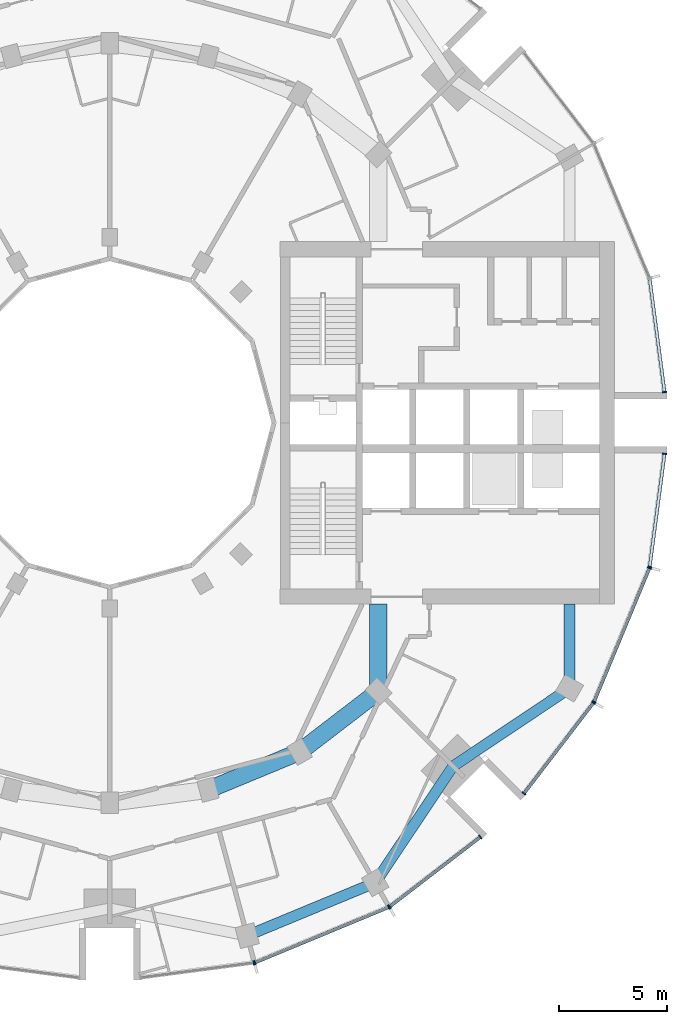
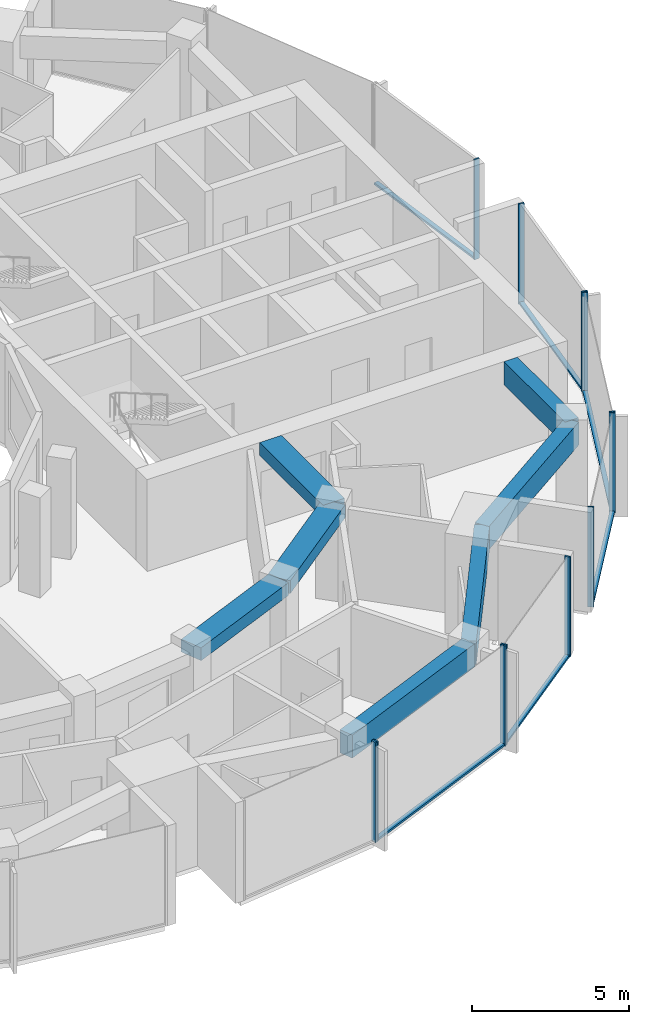
# One storey, part 4 of 15: 18 members, 7 beams, 7 elements without a shape of their own.
"""IFC4 building model written with IfcOpenShell, lengths in metres."""

from ifc_helpers import new_model, si_unit, direction, frame, origin, origin_2d, place, context, subcontext, project, spatial, rectangle, extrude, material, layer, layer_set, material_profile, profile_set, type_object, element, aggregate, save


model = new_model("IFC4")

# Units and contexts
model_context = context("Model", 3, precision=1e-05, world=origin(), true_north=direction((0.0, 1.0)))
body_context = subcontext(model_context, "Body", "Model", "MODEL_VIEW")
ifc_project = project(units=[si_unit("LENGTHUNIT", "METRE"), si_unit("AREAUNIT", "SQUARE_METRE"), si_unit("VOLUMEUNIT", "CUBIC_METRE"), si_unit("PLANEANGLEUNIT", "RADIAN"), si_unit("MASSUNIT", "GRAM", prefix="KILO")], contexts=[model_context])

# Site, building, storey
site_placement = place(None, origin())
site = spatial("IfcSite", under=ifc_project, at=site_placement, CompositionType="ELEMENT")
building_placement = place(site_placement, origin())
building = spatial("IfcBuilding", under=site, at=building_placement, Name="Torre Brocal", CompositionType="ELEMENT")
storey_placement = place(building_placement, frame((0.0, 0.0, 134.10009765625)))
storey = spatial("IfcBuildingStorey", under=building, at=storey_placement, Name="L31", CompositionType="ELEMENT", Elevation=134.10009765625)

# Curtain wall, member
ifc_material_1 = material(Name="Aluminium and glass", Category="aluminium")
ifc_layer_1 = layer(ifc_material_1, 0.199951171875)
ifc_layer_set_1 = layer_set([ifc_layer_1], Name="Aluminium and glass")
curtain_wall_type_1 = type_object("IfcCurtainWallType", Name="CW-1 CURTAIN WALL 3900 HIGH", PredefinedType="NOTDEFINED", material=ifc_layer_set_1)
curtain_wall_1_placement = place(storey_placement, origin())
curtain_wall_1 = element("IfcCurtainWall", 1, at=curtain_wall_1_placement, inside=storey, type_object=curtain_wall_type_1, Name="CW-1 RUN 19", PredefinedType="NOTDEFINED")
ifc_material_2 = material(Name="Aluminium, dark anodised", Category="aluminium")
ifc_material_profile_1 = material_profile(ifc_material_2, rectangle(XDim=0.199951171875, YDim=0.06005859375, at=origin_2d()), Name="CW-1 MULLION 60X200")
ifc_profile_set_1 = profile_set([ifc_material_profile_1], Name="Aluminium, dark anodised")
member_type_1 = type_object("IfcMemberType", Name="CW-1 MULLION 60X200", PredefinedType="MULLION", material=ifc_profile_set_1)
member_1_placement = place(storey_placement, frame((86.67333984375, 49.9794921875, 0.0), z_axis=(0.0, 0.0, 1.0), x_axis=(-0.13052619222, 0.991444861374, 0.0)))
member_1 = element("IfcMember", 2, at=member_1_placement, type_object=member_type_1, Name="CW1-3 mullion 2", PredefinedType="MULLION", context=body_context, shape_type="SweptSolid", body=[
    extrude(rectangle(XDim=0.199951171875, YDim=0.06005859375, at=origin_2d()), origin(), (0.0, 0.0, 1.0), 3.89990234375),
])
aggregate(curtain_wall_1, [member_1])

# Curtain wall, members
curtain_wall_2_placement = place(storey_placement, origin())
curtain_wall_2 = element("IfcCurtainWall", 3, at=curtain_wall_2_placement, inside=storey, type_object=curtain_wall_type_1, Name="CW-1 RUN 20", PredefinedType="NOTDEFINED")
member_2_placement = place(storey_placement, frame((86.73095703125, 49.994873046875, 0.0), z_axis=(0.0, 0.0, 1.0), x_axis=(-0.382683432333, 0.923879532525, 0.0)))
member_2 = element("IfcMember", 4, at=member_2_placement, type_object=member_type_1, Name="CW1-3 mullion 1", PredefinedType="MULLION", context=body_context, shape_type="SweptSolid", body=[
    extrude(rectangle(XDim=0.199951171875, YDim=0.06005859375, at=origin_2d()), origin(), (0.0, 0.0, 1.0), 3.89990234375),
])
member_3_placement = place(storey_placement, frame((92.921875, 52.559326171875, 0.0), z_axis=(0.0, 0.0, 1.0), x_axis=(-0.382683432333, 0.923879532525, 0.0)))
member_3 = element("IfcMember", 5, at=member_3_placement, type_object=member_type_1, Name="CW1-3 mullion 2", PredefinedType="MULLION", context=body_context, shape_type="SweptSolid", body=[
    extrude(rectangle(XDim=0.199951171875, YDim=0.06005859375, at=origin_2d()), origin(), (0.0, 0.0, 1.0), 3.89990234375),
])

curtain_wall_3_placement = place(storey_placement, origin())
curtain_wall_3 = element("IfcCurtainWall", 6, at=curtain_wall_3_placement, inside=storey, type_object=curtain_wall_type_1, Name="CW-1 RUN 21", PredefinedType="NOTDEFINED")
member_4_placement = place(storey_placement, frame((92.973388671875, 52.5888671875, 0.0), z_axis=(0.0, 0.0, 1.0), x_axis=(-0.60876142905, 0.793353340259, 0.0)))
member_4 = element("IfcMember", 7, at=member_4_placement, type_object=member_type_1, Name="CW1-3 mullion 1", PredefinedType="MULLION", context=body_context, shape_type="SweptSolid", body=[
    extrude(rectangle(XDim=0.199951171875, YDim=0.06005859375, at=origin_2d()), origin(), (0.0, 0.0, 1.0), 3.89990234375),
])
member_5_placement = place(storey_placement, frame((97.16943359375, 55.80859375, 0.0), z_axis=(0.0, 0.0, 1.0), x_axis=(-0.60876142905, 0.793353340259, 0.0)))
member_5 = element("IfcMember", 8, at=member_5_placement, type_object=member_type_1, Name="CW1-3 mullion 2", PredefinedType="MULLION", context=body_context, shape_type="SweptSolid", body=[
    extrude(rectangle(XDim=0.199951171875, YDim=0.06005859375, at=origin_2d()), origin(), (0.0, 0.0, 1.0), 3.89990234375),
])

curtain_wall_4_placement = place(storey_placement, origin())
curtain_wall_4 = element("IfcCurtainWall", 9, at=curtain_wall_4_placement, inside=storey, type_object=curtain_wall_type_1, Name="CW-1 RUN 22", PredefinedType="NOTDEFINED")
member_6_placement = place(storey_placement, frame((99.19140625, 57.83056640625, 0.0), z_axis=(0.0, 0.0, 1.0), x_axis=(-0.793353340259, 0.60876142905, 0.0)))
member_6 = element("IfcMember", 10, at=member_6_placement, type_object=member_type_1, Name="CW1-3 mullion 1", PredefinedType="MULLION", context=body_context, shape_type="SweptSolid", body=[
    extrude(rectangle(XDim=0.199951171875, YDim=0.06005859375, at=origin_2d()), origin(), (0.0, 0.0, 1.0), 3.89990234375),
])
member_7_placement = place(storey_placement, frame((102.4111328125, 62.026611328125, 0.0), z_axis=(0.0, 0.0, 1.0), x_axis=(-0.793353340259, 0.60876142905, 0.0)))
member_7 = element("IfcMember", 11, at=member_7_placement, type_object=member_type_1, Name="CW1-3 mullion 2", PredefinedType="MULLION", context=body_context, shape_type="SweptSolid", body=[
    extrude(rectangle(XDim=0.199951171875, YDim=0.06005859375, at=origin_2d()), origin(), (0.0, 0.0, 1.0), 3.89990234375),
])

curtain_wall_5_placement = place(storey_placement, origin())
curtain_wall_5 = element("IfcCurtainWall", 12, at=curtain_wall_5_placement, inside=storey, type_object=curtain_wall_type_1, Name="CW-1 RUN 23", PredefinedType="NOTDEFINED")
member_8_placement = place(storey_placement, frame((102.440673828125, 62.078125, 0.0), z_axis=(0.0, 0.0, 1.0), x_axis=(-0.923879532525, 0.382683432333, 0.0)))
member_8 = element("IfcMember", 13, at=member_8_placement, type_object=member_type_1, Name="CW1-3 mullion 1", PredefinedType="MULLION", context=body_context, shape_type="SweptSolid", body=[
    extrude(rectangle(XDim=0.199951171875, YDim=0.06005859375, at=origin_2d()), origin(), (0.0, 0.0, 1.0), 3.89990234375),
])
member_9_placement = place(storey_placement, frame((105.005126953125, 68.26904296875, 0.0), z_axis=(0.0, 0.0, 1.0), x_axis=(-0.923879532525, 0.382683432333, 0.0)))
member_9 = element("IfcMember", 14, at=member_9_placement, type_object=member_type_1, Name="CW1-3 mullion 2", PredefinedType="MULLION", context=body_context, shape_type="SweptSolid", body=[
    extrude(rectangle(XDim=0.199951171875, YDim=0.06005859375, at=origin_2d()), origin(), (0.0, 0.0, 1.0), 3.89990234375),
])

# Member
ifc_material_3 = material(Name="Aluminium, dark anodised", Category="aluminium")
ifc_material_profile_2 = material_profile(ifc_material_3, rectangle(XDim=0.159912109375, YDim=0.080078125, at=origin_2d()), Name="CW-1 TRANSOM 160X80")
ifc_profile_set_2 = profile_set([ifc_material_profile_2], Name="Aluminium, dark anodised")
member_type_2 = type_object("IfcMemberType", Name="CW-1 TRANSOM 160X80", PredefinedType="USERDEFINED", material=ifc_profile_set_2)
member_10_placement = place(storey_placement, frame((86.758544921875, 50.00634765625, 0.039794921875), z_axis=(0.923887344364, 0.38266457234, 0.0), x_axis=(-0.38266457234, 0.923887344364, 0.0)))
member_10 = element("IfcMember", 15, at=member_10_placement, type_object=member_type_2, Name="CW1-3 transom 1.1", ObjectType="TRANSOM", PredefinedType="USERDEFINED", context=body_context, shape_type="SweptSolid", body=[
    extrude(rectangle(XDim=0.159912109375, YDim=0.080078125, at=origin_2d()), origin(), (0.0, 0.0, 1.0), 6.640869140625),
])

aggregate(curtain_wall_2, [member_2, member_3, member_10])

member_11_placement = place(storey_placement, frame((92.9970703125, 52.607177734375, 0.039794921875), z_axis=(0.79336281513, 0.60874908096, 0.0), x_axis=(-0.60874908096, 0.79336281513, 0.0)))
member_11 = element("IfcMember", 16, at=member_11_placement, type_object=member_type_2, Name="CW1-3 transom 1.1", ObjectType="TRANSOM", PredefinedType="USERDEFINED", context=body_context, shape_type="SweptSolid", body=[
    extrude(rectangle(XDim=0.159912109375, YDim=0.080078125, at=origin_2d()), origin(), (0.0, 0.0, 1.0), 5.22900390625),
])

aggregate(curtain_wall_3, [member_4, member_5, member_11])

member_12_placement = place(storey_placement, frame((99.209716796875, 57.8544921875, 0.039794921875), z_axis=(0.60874908096, 0.79336281513, 0.0), x_axis=(-0.79336281513, 0.60874908096, 0.0)))
member_12 = element("IfcMember", 17, at=member_12_placement, type_object=member_type_2, Name="CW1-3 transom 1.1", ObjectType="TRANSOM", PredefinedType="USERDEFINED", context=body_context, shape_type="SweptSolid", body=[
    extrude(rectangle(XDim=0.159912109375, YDim=0.080078125, at=origin_2d()), origin(), (0.0, 0.0, 1.0), 5.22900390625),
])

aggregate(curtain_wall_4, [member_6, member_7, member_12])

member_13_placement = place(storey_placement, frame((102.452392578125, 62.10595703125, 0.039794921875), z_axis=(0.38266457234, 0.923887344364, 0.0), x_axis=(-0.923887344364, 0.38266457234, 0.0)))
member_13 = element("IfcMember", 18, at=member_13_placement, type_object=member_type_2, Name="CW1-3 transom 1.1", ObjectType="TRANSOM", PredefinedType="USERDEFINED", context=body_context, shape_type="SweptSolid", body=[
    extrude(rectangle(XDim=0.159912109375, YDim=0.080078125, at=origin_2d()), origin(), (0.0, 0.0, 1.0), 6.640869140625),
])

aggregate(curtain_wall_5, [member_8, member_9, member_13])

# Curtain wall, member
ifc_material_4 = material(Name="Aluminium and glass", Category="aluminium")
ifc_layer_2 = layer(ifc_material_4, 0.199951171875)
ifc_layer_set_2 = layer_set([ifc_layer_2], Name="Aluminium and glass")
curtain_wall_type_2 = type_object("IfcCurtainWallType", Name="CW-1B CURTAIN WALL 3900 HIGH", PredefinedType="NOTDEFINED", material=ifc_layer_set_2)
curtain_wall_6_placement = place(storey_placement, origin())
curtain_wall_6 = element("IfcCurtainWall", 19, at=curtain_wall_6_placement, inside=storey, type_object=curtain_wall_type_2, Name="CW-1B RUN 1", PredefinedType="NOTDEFINED")
ifc_material_5 = material(Name="Aluminium, dark anodised", Category="aluminium")
ifc_material_profile_3 = material_profile(ifc_material_5, rectangle(XDim=0.199951171875, YDim=0.06005859375, at=origin_2d()), Name="CW-1B MULLION 60X200")
ifc_profile_set_3 = profile_set([ifc_material_profile_3], Name="Aluminium, dark anodised")
member_type_3 = type_object("IfcMemberType", Name="CW-1B MULLION 60X200", PredefinedType="MULLION", material=ifc_profile_set_3)
member_14_placement = place(storey_placement, frame((105.7109375, 76.4296875, 0.0), z_axis=(0.0, 0.0, 1.0), x_axis=(-0.991444861374, -0.13052619222, 0.0)))
member_14 = element("IfcMember", 20, at=member_14_placement, type_object=member_type_3, Name="CW1B-3 mullion 1", PredefinedType="MULLION", context=body_context, shape_type="SweptSolid", body=[
    extrude(rectangle(XDim=0.199951171875, YDim=0.06005859375, at=origin_2d()), origin(), (0.0, 0.0, 1.0), 3.89990234375),
])

# Curtain wall, members
curtain_wall_7_placement = place(storey_placement, origin())
curtain_wall_7 = element("IfcCurtainWall", 21, at=curtain_wall_7_placement, inside=storey, type_object=curtain_wall_type_2, Name="CW-1B RUN 24", PredefinedType="NOTDEFINED")
member_15_placement = place(storey_placement, frame((105.0205078125, 68.32666015625, 0.0), z_axis=(0.0, 0.0, 1.0), x_axis=(-0.991444861374, 0.13052619222, 0.0)))
member_15 = element("IfcMember", 22, at=member_15_placement, type_object=member_type_3, Name="CW1B-3 mullion 1", PredefinedType="MULLION", context=body_context, shape_type="SweptSolid", body=[
    extrude(rectangle(XDim=0.199951171875, YDim=0.06005859375, at=origin_2d()), origin(), (0.0, 0.0, 1.0), 3.89990234375),
])
member_16_placement = place(storey_placement, frame((105.7109375, 73.5703125, 0.0), z_axis=(0.0, 0.0, 1.0), x_axis=(-0.991444861374, 0.13052619222, 0.0)))
member_16 = element("IfcMember", 23, at=member_16_placement, type_object=member_type_3, Name="CW1B-3 mullion 2", PredefinedType="MULLION", context=body_context, shape_type="SweptSolid", body=[
    extrude(rectangle(XDim=0.199951171875, YDim=0.06005859375, at=origin_2d()), origin(), (0.0, 0.0, 1.0), 3.89990234375),
])

# Member
ifc_material_6 = material(Name="Aluminium, dark anodised", Category="aluminium")
ifc_material_profile_4 = material_profile(ifc_material_6, rectangle(XDim=0.159912109375, YDim=0.080078125, at=origin_2d()), Name="CW-1B TRANSOM 160X80")
ifc_profile_set_4 = profile_set([ifc_material_profile_4], Name="Aluminium, dark anodised")
member_type_4 = type_object("IfcMemberType", Name="CW-1B TRANSOM 160X80", PredefinedType="USERDEFINED", material=ifc_profile_set_4)
member_17_placement = place(storey_placement, frame((105.70703125, 76.45947265625, 0.039794921875), z_axis=(-0.130542677827, 0.991442690863, 0.0), x_axis=(-0.991442690863, -0.130542677827, 0.0)))
member_17 = element("IfcMember", 24, at=member_17_placement, type_object=member_type_4, Name="CW1B-3 transom 1.1", ObjectType="TRANSOM", PredefinedType="USERDEFINED", context=body_context, shape_type="SweptSolid", body=[
    extrude(rectangle(XDim=0.159912109375, YDim=0.080078125, at=origin_2d()), origin(), (0.0, 0.0, 1.0), 5.22900390625),
])

aggregate(curtain_wall_6, [member_14, member_17])

member_18_placement = place(storey_placement, frame((105.0244140625, 68.356201171875, 0.039794921875), z_axis=(0.130542677827, 0.991442690863, 0.0), x_axis=(-0.991442690863, 0.130542677827, 0.0)))
member_18 = element("IfcMember", 25, at=member_18_placement, type_object=member_type_4, Name="CW1B-3 transom 1.1", ObjectType="TRANSOM", PredefinedType="USERDEFINED", context=body_context, shape_type="SweptSolid", body=[
    extrude(rectangle(XDim=0.159912109375, YDim=0.080078125, at=origin_2d()), origin(), (0.0, 0.0, 1.0), 5.22900390625),
])

aggregate(curtain_wall_7, [member_15, member_16, member_18])

# Beams
ifc_material_7 = material(Name="Concrete C50", Category="concrete")
ifc_material_profile_5 = material_profile(ifc_material_7, rectangle(XDim=0.800048828125, YDim=0.5, at=origin_2d()), Name="RC 800X500")
ifc_profile_set_5 = profile_set([ifc_material_profile_5], Name="Concrete C50")
beam_type_1 = type_object("IfcBeamType", Name="RC BEAM 800X500 C50 TOP 3580", PredefinedType="BEAM", material=ifc_profile_set_5)
beam_1_placement = place(storey_placement, frame((84.55517578125, 57.999755859375, 3.329833984375), z_axis=(0.923878240166, 0.382686552348, 0.0), x_axis=(-0.382686552348, 0.923878240166, 0.0)))
element("IfcBeam", 26, at=beam_1_placement, inside=storey, type_object=beam_type_1, Name="Beam BT-28", PredefinedType="BEAM", context=body_context, shape_type="SweptSolid", body=[
    extrude(rectangle(XDim=0.800048828125, YDim=0.5, at=origin_2d()), origin(), (0.0, 0.0, 1.0), 4.5947265625),
])
beam_2_placement = place(storey_placement, frame((88.800048828125, 59.758056640625, 3.329833984375), z_axis=(0.793358265959, 0.6087550097, 0.0), x_axis=(-0.6087550097, 0.793358265959, 0.0)))
element("IfcBeam", 27, at=beam_2_placement, inside=storey, type_object=beam_type_1, Name="Beam BT-28", PredefinedType="BEAM", context=body_context, shape_type="SweptSolid", body=[
    extrude(rectangle(XDim=0.800048828125, YDim=0.5, at=origin_2d()), origin(), (0.0, 0.0, 1.0), 4.594482421875),
])
beam_3_placement = place(storey_placement, frame((92.445068359375, 62.554931640625, 3.329833984375), z_axis=(0.0, 1.0, 0.0), x_axis=(-1.0, 0.0, 0.0)))
element("IfcBeam", 28, at=beam_3_placement, inside=storey, type_object=beam_type_1, Name="Beam BT-28", PredefinedType="BEAM", context=body_context, shape_type="SweptSolid", body=[
    extrude(rectangle(XDim=0.800048828125, YDim=0.5, at=origin_2d()), origin(), (0.0, 0.0, 1.0), 4.045166015625),
])
ifc_material_8 = material(Name="Concrete C50", Category="concrete")
ifc_material_profile_6 = material_profile(ifc_material_8, rectangle(XDim=0.5, YDim=0.89990234375, at=origin_2d()), Name="RC 500X900")
ifc_profile_set_6 = profile_set([ifc_material_profile_6], Name="Concrete C50")
beam_type_2 = type_object("IfcBeamType", Name="RC SPANDREL BEAM 500X900 C50 TOP 3580", PredefinedType="SPANDREL", material=ifc_profile_set_6)
beam_4_placement = place(storey_placement, frame((86.366943359375, 51.23828125, 3.1298828125), z_axis=(0.923882462513, 0.382676358639, 0.0), x_axis=(-0.382676358639, 0.923882462513, 0.0)))
element("IfcBeam", 29, at=beam_4_placement, inside=storey, type_object=beam_type_2, Name="Beam BT-29", PredefinedType="SPANDREL", context=body_context, shape_type="SweptSolid", body=[
    extrude(rectangle(XDim=0.5, YDim=0.89990234375, at=origin_2d()), origin(), (0.0, 0.0, 1.0), 6.421875),
])
for number, where, z_axis, x_axis, name in (
    (30, (92.300048828125, 53.69580078125, 3.1298828125), (0.556157602282, 0.831076844476, 0.0), (-0.831076844476, 0.556157602282, 0.0), "Beam BT-29"),
    (31, (95.909912109375, 59.090087890625, 3.1298828125), (0.831076844476, 0.556157602282, 0.0), (-0.556157602282, 0.831076844476, 0.0), "Beam BT-29"),
):
    element("IfcBeam", number, at=place(storey_placement, frame(where, z_axis=z_axis, x_axis=x_axis)), inside=storey, type_object=beam_type_2, Name=name, PredefinedType="SPANDREL", context=body_context, shape_type="SweptSolid", body=[
        extrude(rectangle(XDim=0.5, YDim=0.89990234375, at=origin_2d()), origin(), (0.0, 0.0, 1.0), 6.49072265625),
    ])
beam_5_placement = place(storey_placement, frame((101.30419921875, 62.699951171875, 3.1298828125), z_axis=(0.0, 1.0, 0.0), x_axis=(-1.0, 0.0, 0.0)))
element("IfcBeam", 32, at=beam_5_placement, inside=storey, type_object=beam_type_2, Name="Beam BT-29", PredefinedType="SPANDREL", context=body_context, shape_type="SweptSolid", body=[
    extrude(rectangle(XDim=0.5, YDim=0.89990234375, at=origin_2d()), origin(), (0.0, 0.0, 1.0), 3.900146484375),
])

save(model, "model.ifc")
